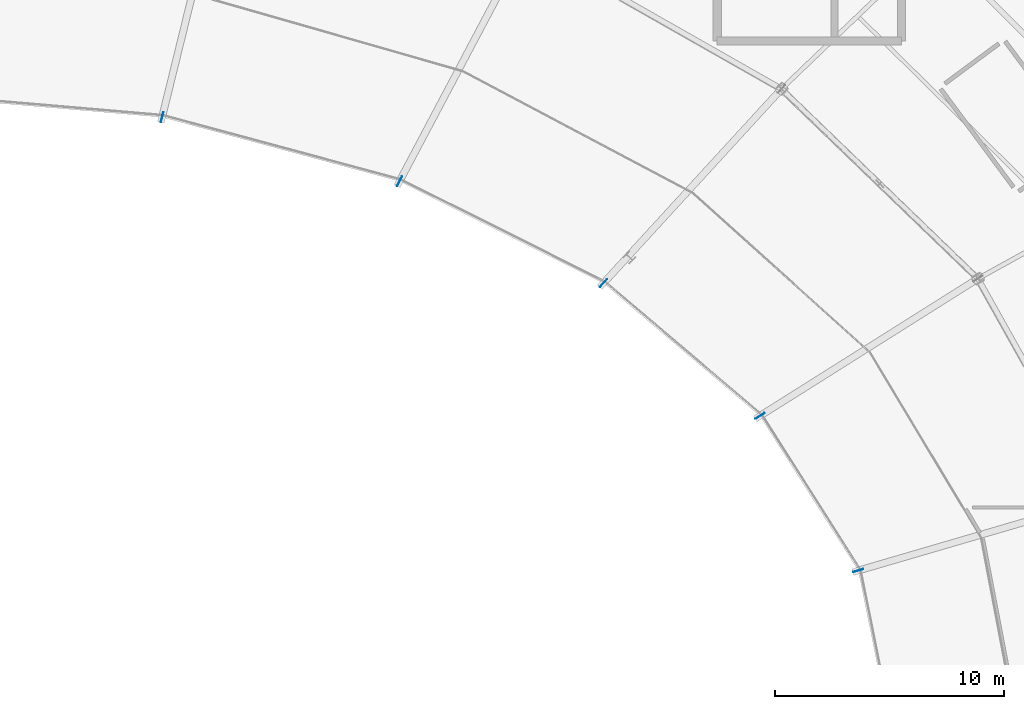
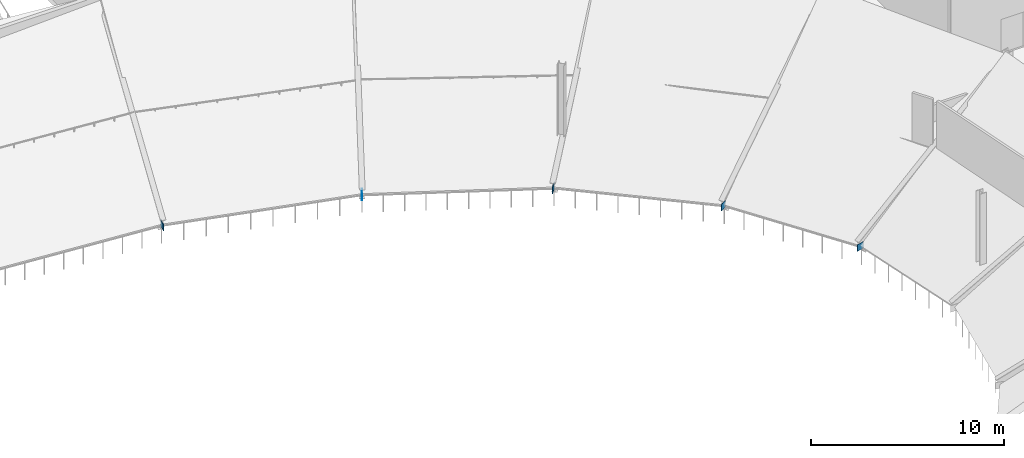
# One storey, part 27 of 63: 5 plates.
"""IFC4 building model written with IfcOpenShell, lengths in metres."""

from ifc_helpers import new_model, si_unit, direction, frame, origin, origin_2d, place, context, subcontext, project, spatial, rectangle, extrude, material, layer, layer_set, type_object, element, save


model = new_model("IFC4")

# Units and contexts
model_context = context("Model", 3, precision=1e-05, world=origin(), true_north=direction((0.0, 1.0)))
body_context = subcontext(model_context, "Body", "Model", "MODEL_VIEW")
ifc_project = project(units=[si_unit("LENGTHUNIT", "METRE"), si_unit("AREAUNIT", "SQUARE_METRE"), si_unit("VOLUMEUNIT", "CUBIC_METRE"), si_unit("PLANEANGLEUNIT", "RADIAN"), si_unit("MASSUNIT", "GRAM", prefix="KILO")], contexts=[model_context])

# Site, building, storey
site_placement = place(None, origin())
site = spatial("IfcSite", under=ifc_project, at=site_placement, CompositionType="ELEMENT")
building_placement = place(site_placement, origin())
building = spatial("IfcBuilding", under=site, at=building_placement, Name="Kalgoora Escarpment Arena", CompositionType="ELEMENT")
storey_placement = place(building_placement, frame((0.0, 0.0, 14.39990234375)))
storey = spatial("IfcBuildingStorey", under=building, at=storey_placement, Name="L03", CompositionType="ELEMENT", Elevation=14.39990234375)

# Plates
ifc_material = material(Name="Structural steel Grade 350 (350 MPa)", Category="steel")
ifc_layer = layer(ifc_material, 0.02490234375)
ifc_layer_set = layer_set([ifc_layer], Name="PLT-GUSSET-25")
plate_type = type_object("IfcPlateType", Name="PLT-GUSSET-25", PredefinedType="USERDEFINED", material=ifc_layer_set)
for number, where, z_axis, x_axis, name in (
    (1, (133.934814453125, 71.246826171875, -2.509765625), (0.0, 0.0, 1.0), (0.959854262938, 0.280499187022, 0.0), "Upper bowl raker inner end plate R02"),
    (2, (129.63916015625, 78.0, -2.509765625), (0.0, 0.0, 1.0), (0.846193166128, 0.532876276071, 0.0), "Upper bowl raker inner end plate R03"),
    (3, (122.8056640625, 83.799072265625, -2.509765625), (0.0, 0.0, 1.0), (0.675718876495, 0.737159412846, 0.0), "Upper bowl raker inner end plate R04"),
    (4, (113.89990234375, 88.248779296875, -2.509765625), (0.0, 0.0, 1.0), (0.467775560934, 0.883847285787, 0.0), "Upper bowl raker inner end plate R05"),
    (5, (103.529296875, 91.0458984375, -2.509765625), (0.0, 0.0, 1.0), (0.238533457579, 0.97113427991, 0.0), "Upper bowl raker inner end plate R06"),
):
    element("IfcPlate", number, at=place(storey_placement, frame(where, z_axis=z_axis, x_axis=x_axis)), inside=storey, type_object=plate_type, Name=name, ObjectType="FLANGE PLATE", PredefinedType="USERDEFINED", context=body_context, shape_type="SweptSolid", body=[
        extrude(rectangle(XDim=0.4599609375, YDim=0.02490234375, at=origin_2d()), origin(), (0.0, 0.0, 1.0), 0.419921875),
    ])

save(model, "model.ifc")
